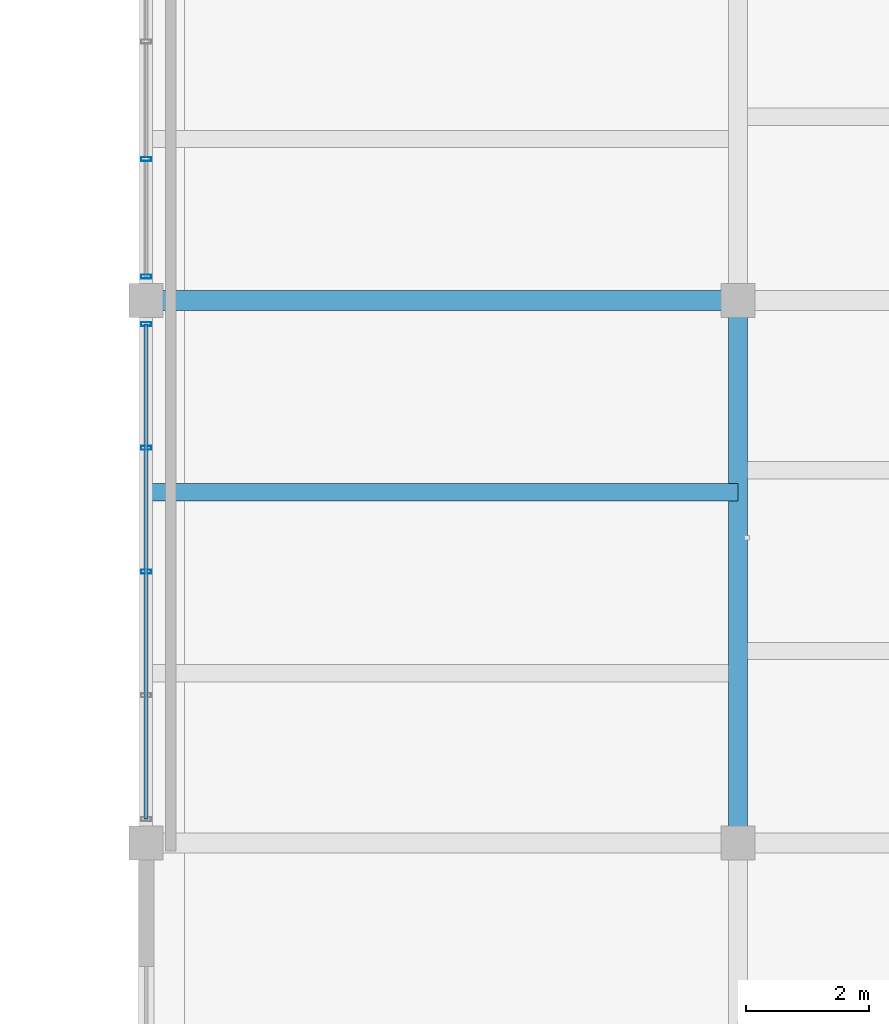
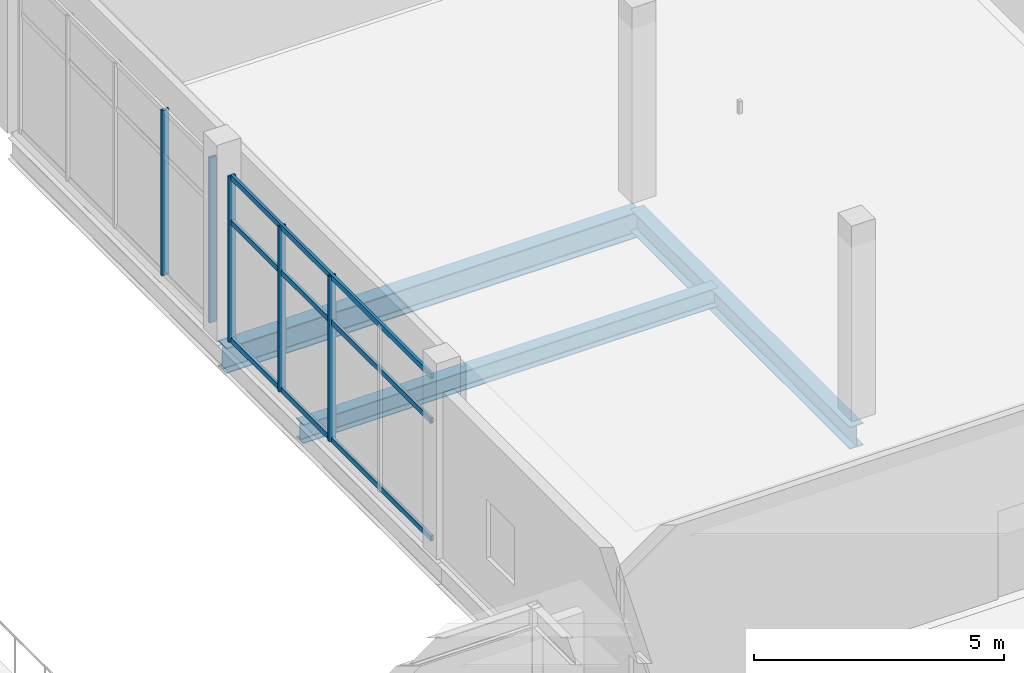
# One storey, part 75 of 157: 8 members, 3 beams, 2 elements without a shape of their own.
"""IFC4 building model written with IfcOpenShell, lengths in metres."""

from ifc_helpers import new_model, si_unit, direction, frame, origin, origin_2d, place, context, subcontext, project, spatial, hollow_rectangle, i_section, extrude, material, layer, layer_set, material_profile, profile_set, type_object, element, aggregate, save


model = new_model("IFC4")

# Units and contexts
model_context = context("Model", 3, precision=1e-05, world=origin(), true_north=direction((0.0, 1.0)))
body_context = subcontext(model_context, "Body", "Model", "MODEL_VIEW")
ifc_project = project(units=[si_unit("LENGTHUNIT", "METRE"), si_unit("AREAUNIT", "SQUARE_METRE"), si_unit("VOLUMEUNIT", "CUBIC_METRE"), si_unit("PLANEANGLEUNIT", "RADIAN"), si_unit("MASSUNIT", "GRAM", prefix="KILO")], contexts=[model_context])

# Site, building, storey
site_placement = place(None, origin())
site = spatial("IfcSite", under=ifc_project, at=site_placement, CompositionType="ELEMENT")
building_placement = place(site_placement, origin())
building = spatial("IfcBuilding", under=site, at=building_placement, Name="Chalmorin Arch Market", CompositionType="ELEMENT")
storey_placement = place(building_placement, frame((0.0, 0.0, 4.800048828125)))
storey = spatial("IfcBuildingStorey", under=building, at=storey_placement, Name="L01", CompositionType="ELEMENT", Elevation=4.800048828125)

# Curtain wall, members
ifc_material_1 = material(Name="Aluminium 6063-T6", Category="aluminium")
ifc_layer_1 = layer(ifc_material_1, 0.159912109375)
ifc_layer_set_1 = layer_set([ifc_layer_1], Name="Aluminium 6063-T6")
curtain_wall_type_1 = type_object("IfcCurtainWallType", Name="CulinaryStudioCurtainWall-CW3-8030x4050", PredefinedType="NOTDEFINED", material=ifc_layer_set_1)
curtain_wall_1_placement = place(storey_placement, origin())
curtain_wall_1 = element("IfcCurtainWall", 1, at=curtain_wall_1_placement, inside=storey, type_object=curtain_wall_type_1, Name="CW-03-115", PredefinedType="NOTDEFINED")
ifc_material_profile_1 = material_profile(ifc_material_1, hollow_rectangle(XDim=0.06494140625, YDim=0.159912109375, WallThickness=0.00390625, at=origin_2d()), Name="ALU65X160X4")
ifc_profile_set_1 = profile_set([ifc_material_profile_1], Name="Aluminium 6063-T6")
member_type_1 = type_object("IfcMemberType", Name="CurtainWallMullion-65x160", PredefinedType="MULLION", material=ifc_profile_set_1)
member_1_placement = place(storey_placement, frame((48.0, 105.199951171875, 0.0), z_axis=(0.0, 0.0, 1.0), x_axis=(0.0, 1.0, 0.0)))
member_1 = element("IfcMember", 2, at=member_1_placement, type_object=member_type_1, Name="ML-115-03", PredefinedType="MULLION", context=body_context, shape_type="SweptSolid", body=[
    extrude(hollow_rectangle(XDim=0.06494140625, YDim=0.159912109375, WallThickness=0.00390625, at=origin_2d()), origin(), (0.0, 0.0, 1.0), 4.0458984375),
])
member_2_placement = place(storey_placement, frame((48.0, 107.20751953125, 0.0), z_axis=(0.0, 0.0, 1.0), x_axis=(0.0, 1.0, 0.0)))
member_2 = element("IfcMember", 3, at=member_2_placement, type_object=member_type_1, Name="ML-115-04", PredefinedType="MULLION", context=body_context, shape_type="SweptSolid", body=[
    extrude(hollow_rectangle(XDim=0.06494140625, YDim=0.159912109375, WallThickness=0.00390625, at=origin_2d()), origin(), (0.0, 0.0, 1.0), 4.0458984375),
])
member_3_placement = place(storey_placement, frame((48.0, 109.215087890625, 0.0), z_axis=(0.0, 0.0, 1.0), x_axis=(0.0, 1.0, 0.0)))
member_3 = element("IfcMember", 4, at=member_3_placement, type_object=member_type_1, Name="ML-115-05", PredefinedType="MULLION", context=body_context, shape_type="SweptSolid", body=[
    extrude(hollow_rectangle(XDim=0.06494140625, YDim=0.159912109375, WallThickness=0.00390625, at=origin_2d()), origin(), (0.0, 0.0, 1.0), 4.0458984375),
])

ifc_layer_2 = layer(ifc_material_1, 0.159912109375)
ifc_layer_set_2 = layer_set([ifc_layer_2], Name="Aluminium 6063-T6")
curtain_wall_type_2 = type_object("IfcCurtainWallType", Name="CulinaryStudioCurtainWall-CW3-7630x4050", PredefinedType="NOTDEFINED", material=ifc_layer_set_2)
curtain_wall_2_placement = place(storey_placement, origin())
curtain_wall_2 = element("IfcCurtainWall", 5, at=curtain_wall_2_placement, inside=storey, type_object=curtain_wall_type_2, Name="CW-03-118", PredefinedType="NOTDEFINED")
member_4_placement = place(storey_placement, frame((48.0, 109.985107421875, 0.0), z_axis=(0.0, 0.0, 1.0), x_axis=(0.0, 1.0, 0.0)))
member_4 = element("IfcMember", 6, at=member_4_placement, type_object=member_type_1, Name="ML-118-01", PredefinedType="MULLION", context=body_context, shape_type="SweptSolid", body=[
    extrude(hollow_rectangle(XDim=0.06494140625, YDim=0.159912109375, WallThickness=0.00390625, at=origin_2d()), origin(), (0.0, 0.0, 1.0), 4.0458984375),
])
member_5_placement = place(storey_placement, frame((48.0, 111.892578125, 0.0), z_axis=(0.0, 0.0, 1.0), x_axis=(0.0, 1.0, 0.0)))
member_5 = element("IfcMember", 7, at=member_5_placement, type_object=member_type_1, Name="ML-118-02", PredefinedType="MULLION", context=body_context, shape_type="SweptSolid", body=[
    extrude(hollow_rectangle(XDim=0.06494140625, YDim=0.159912109375, WallThickness=0.00390625, at=origin_2d()), origin(), (0.0, 0.0, 1.0), 4.0458984375),
])
aggregate(curtain_wall_2, [member_4, member_5])

# Member
ifc_material_profile_2 = material_profile(ifc_material_1, hollow_rectangle(XDim=0.06494140625, YDim=0.1298828125, WallThickness=0.00390625, at=origin_2d()), Name="ALU65X130X4")
ifc_profile_set_2 = profile_set([ifc_material_profile_2], Name="Aluminium 6063-T6")
member_type_2 = type_object("IfcMemberType", Name="CurtainWallTransom-65x130", PredefinedType="USERDEFINED", material=ifc_profile_set_2)
member_6_placement = place(storey_placement, frame((48.0, 101.18505859375, 0.034912109375), z_axis=(0.0, 1.0, 0.0), x_axis=(-1.0, 0.0, 0.0)))
member_6 = element("IfcMember", 8, at=member_6_placement, type_object=member_type_2, Name="TR-115-01", ObjectType="TRANSOM", PredefinedType="USERDEFINED", context=body_context, shape_type="SweptSolid", body=[
    extrude(hollow_rectangle(XDim=0.06494140625, YDim=0.1298828125, WallThickness=0.00390625, at=origin_2d()), origin(), (0.0, 0.0, 1.0), 8.030029296875),
])

member_7_placement = place(storey_placement, frame((48.0, 101.18505859375, 2.9130859375), z_axis=(0.0, 1.0, 0.0), x_axis=(-1.0, 0.0, 0.0)))
member_7 = element("IfcMember", 9, at=member_7_placement, type_object=member_type_2, Name="TR-115-02", ObjectType="TRANSOM", PredefinedType="USERDEFINED", context=body_context, shape_type="SweptSolid", body=[
    extrude(hollow_rectangle(XDim=0.06494140625, YDim=0.1298828125, WallThickness=0.00390625, at=origin_2d()), origin(), (0.0, 0.0, 1.0), 8.030029296875),
])

member_8_placement = place(storey_placement, frame((48.0, 101.18505859375, 4.010986328125), z_axis=(0.0, 1.0, 0.0), x_axis=(-1.0, 0.0, 0.0)))
member_8 = element("IfcMember", 10, at=member_8_placement, type_object=member_type_2, Name="TR-115-03", ObjectType="TRANSOM", PredefinedType="USERDEFINED", context=body_context, shape_type="SweptSolid", body=[
    extrude(hollow_rectangle(XDim=0.06494140625, YDim=0.1298828125, WallThickness=0.00390625, at=origin_2d()), origin(), (0.0, 0.0, 1.0), 8.030029296875),
])

aggregate(curtain_wall_1, [member_1, member_2, member_3, member_6, member_7, member_8])

# Beams
ifc_material_2 = material(Name="Steel A992 Grade 50", Category="steel")
ifc_material_profile_3 = material_profile(ifc_material_2, i_section(OverallWidth=0.326904296875, OverallDepth=0.6220703125, WebThickness=0.015380859375, FlangeThickness=0.0244140625, FilletRadius=0.02392578125, at=origin_2d()), Name="W24X131")
ifc_profile_set_3 = profile_set([ifc_material_profile_3], Name="Steel A992 Grade 50")
beam_type_1 = type_object("IfcBeamType", Name="HeavyFloorGirder-W24X131", PredefinedType="BEAM", material=ifc_profile_set_3)
beam_1_placement = place(storey_placement, frame((48.0, 109.60009765625, -0.633056640625), z_axis=(1.0, 0.0, 0.0), x_axis=(0.0, 1.0, 0.0)))
element("IfcBeam", 11, at=beam_1_placement, inside=storey, type_object=beam_type_1, Name="BG-W24C-0888", PredefinedType="BEAM", context=body_context, shape_type="SweptSolid", body=[
    extrude(i_section(OverallWidth=0.326904296875, OverallDepth=0.6220703125, WebThickness=0.015380859375, FlangeThickness=0.0244140625, FilletRadius=0.02392578125, at=origin_2d()), origin(), (0.0, 0.0, 1.0), 9.60009765625),
])
ifc_material_profile_4 = material_profile(ifc_material_2, i_section(OverallWidth=0.31201171875, OverallDepth=0.54296875, WebThickness=0.0126953125, FlangeThickness=0.020263671875, FilletRadius=0.02197265625, at=origin_2d()), Name="W21X101")
ifc_profile_set_4 = profile_set([ifc_material_profile_4], Name="Steel A992 Grade 50")
beam_type_2 = type_object("IfcBeamType", Name="KitchenSteelGirder-W21X101", PredefinedType="BEAM", material=ifc_profile_set_4)
beam_2_placement = place(storey_placement, frame((57.60009765625, 100.800048828125, -0.593505859375), z_axis=(0.0, 1.0, 0.0), x_axis=(-1.0, 0.0, 0.0)))
element("IfcBeam", 12, at=beam_2_placement, inside=storey, type_object=beam_type_2, Name="BG-W21C-0890", PredefinedType="BEAM", context=body_context, shape_type="SweptSolid", body=[
    extrude(i_section(OverallWidth=0.31201171875, OverallDepth=0.54296875, WebThickness=0.0126953125, FlangeThickness=0.020263671875, FilletRadius=0.02197265625, at=origin_2d()), origin(), (0.0, 0.0, 1.0), 8.800048828125),
])
ifc_material_profile_5 = material_profile(ifc_material_2, i_section(OverallWidth=0.280029296875, OverallDepth=0.462890625, WebThickness=0.0107421875, FlangeThickness=0.017333984375, FilletRadius=0.02001953125, at=origin_2d()), Name="W18X76")
ifc_profile_set_5 = profile_set([ifc_material_profile_5], Name="Steel A992 Grade 50")
beam_type_3 = type_object("IfcBeamType", Name="WorkshopSteelBeam-W18X76", PredefinedType="BEAM", material=ifc_profile_set_5)
beam_3_placement = place(storey_placement, frame((48.0, 106.48681640625, -0.553466796875), z_axis=(1.0, 0.0, 0.0), x_axis=(0.0, 1.0, 0.0)))
element("IfcBeam", 13, at=beam_3_placement, inside=storey, type_object=beam_type_3, Name="BM-W18C-0965", PredefinedType="BEAM", context=body_context, shape_type="SweptSolid", body=[
    extrude(i_section(OverallWidth=0.280029296875, OverallDepth=0.462890625, WebThickness=0.0107421875, FlangeThickness=0.017333984375, FilletRadius=0.02001953125, at=origin_2d()), origin(), (0.0, 0.0, 1.0), 9.60009765625),
])

save(model, "model.ifc")
